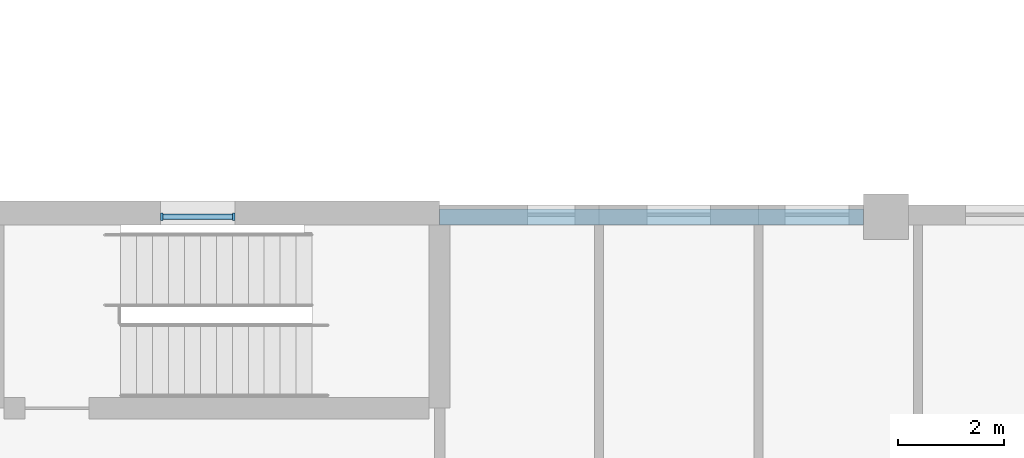
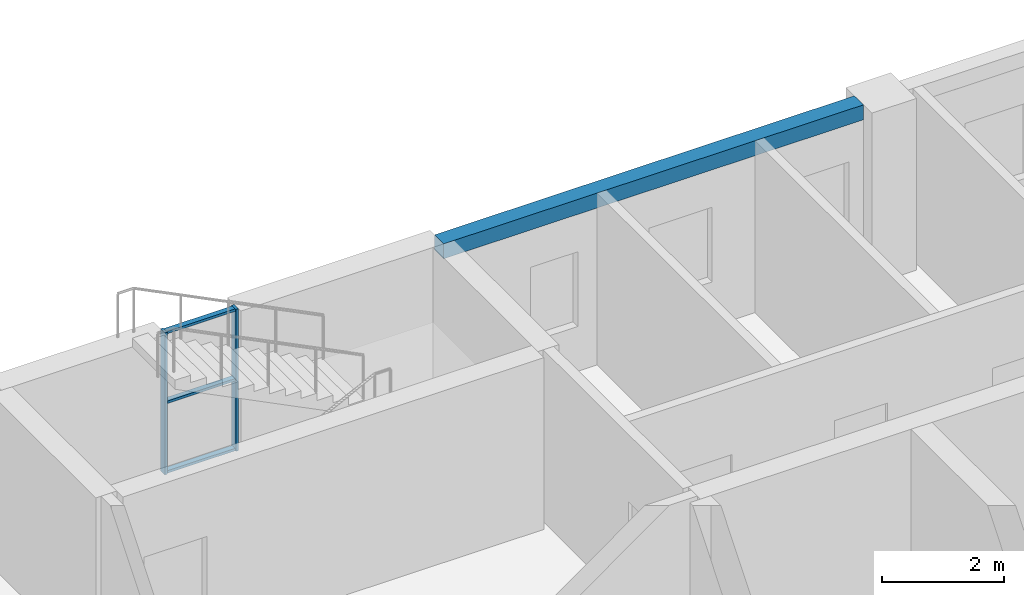
# One storey, part 26 of 94: 5 members, 1 beam, 1 element without a shape of its own.
"""IFC4 building model written with IfcOpenShell, lengths in metres."""

from ifc_helpers import new_model, si_unit, direction, frame, origin, origin_2d, place, context, subcontext, project, spatial, rectangle, extrude, material, material_profile, profile_set, type_object, element, aggregate, save


model = new_model("IFC4")

# Units and contexts
model_context = context("Model", 3, precision=1e-05, world=origin(), true_north=direction((0.0, 1.0)))
body_context = subcontext(model_context, "Body", "Model", "MODEL_VIEW")
ifc_project = project(units=[si_unit("LENGTHUNIT", "METRE"), si_unit("AREAUNIT", "SQUARE_METRE"), si_unit("VOLUMEUNIT", "CUBIC_METRE"), si_unit("PLANEANGLEUNIT", "RADIAN"), si_unit("MASSUNIT", "GRAM", prefix="KILO")], contexts=[model_context])

# Site, building, storey
site_placement = place(None, origin())
site = spatial("IfcSite", under=ifc_project, at=site_placement, CompositionType="ELEMENT")
building_placement = place(site_placement, origin())
building = spatial("IfcBuilding", under=site, at=building_placement, Name="Yavir Park General Hospital", CompositionType="ELEMENT")
storey_placement = place(building_placement, frame((0.0, 0.0, 4.5)))
storey = spatial("IfcBuildingStorey", under=building, at=storey_placement, Name="L01", CompositionType="ELEMENT", Elevation=4.5)

# Beam
ifc_material_1 = material(Name="Concrete C35/45", Category="concrete")
ifc_material_profile_1 = material_profile(ifc_material_1, rectangle(XDim=0.300048828125, YDim=0.300048828125, at=origin_2d()), Name="RC300x300")
ifc_profile_set_1 = profile_set([ifc_material_profile_1], Name="Concrete C35/45")
beam_type = type_object("IfcBeamType", Name="RC BEAM 300x300 edge beam", PredefinedType="BEAM", material=ifc_profile_set_1)
beam_placement = place(storey_placement, frame((117.60009765625, 33.60009765625, 3.300048828125), z_axis=(1.0, 0.0, 0.0), x_axis=(0.0, 1.0, 0.0)))
element("IfcBeam", 1, at=beam_placement, inside=storey, type_object=beam_type, Name="B:EDGE:L01:025", PredefinedType="BEAM", context=body_context, shape_type="SweptSolid", body=[
    extrude(rectangle(XDim=0.300048828125, YDim=0.300048828125, at=origin_2d()), origin(), (0.0, 0.0, 1.0), 7.974853515625),
])

# Curtain wall, members
ifc_material_2 = material(Name="Aluminium curtain wall frame with insulated glazing", Category="aluminium")
curtain_wall_type = type_object("IfcCurtainWallType", Name="Stair light slot, podium, 2850 high, 1400 module", PredefinedType="NOTDEFINED", material=ifc_material_2)
curtain_wall_placement = place(storey_placement, origin())
curtain_wall = element("IfcCurtainWall", 2, at=curtain_wall_placement, inside=storey, type_object=curtain_wall_type, Name="CW9 L01-006", PredefinedType="NOTDEFINED")
ifc_material_3 = material(Name="Aluminium", Category="aluminium")
ifc_material_profile_2 = material_profile(ifc_material_3, rectangle(XDim=0.139892578125, YDim=0.050048828125, at=origin_2d()), Name="AL 50x140")
ifc_profile_set_2 = profile_set([ifc_material_profile_2], Name="Aluminium")
member_type_1 = type_object("IfcMemberType", Name="Stair light slot, podium, 2850 high mullion 50 x 140", PredefinedType="MULLION", material=ifc_profile_set_2)
member_1_placement = place(storey_placement, frame((112.375, 33.60009765625, 0.60009765625), z_axis=(0.0, 0.0, 1.0), x_axis=(0.0, 1.0, 0.0)))
member_1 = element("IfcMember", 3, at=member_1_placement, type_object=member_type_1, Name="CW9 mullion 1", PredefinedType="MULLION", context=body_context, shape_type="SweptSolid", body=[
    extrude(rectangle(XDim=0.139892578125, YDim=0.050048828125, at=origin_2d()), origin(), (0.0, 0.0, 1.0), 2.849853515625),
])
member_2_placement = place(storey_placement, frame((113.72509765625, 33.60009765625, 0.60009765625), z_axis=(0.0, 0.0, 1.0), x_axis=(0.0, 1.0, 0.0)))
member_2 = element("IfcMember", 4, at=member_2_placement, type_object=member_type_1, Name="CW9 mullion 2", PredefinedType="MULLION", context=body_context, shape_type="SweptSolid", body=[
    extrude(rectangle(XDim=0.139892578125, YDim=0.050048828125, at=origin_2d()), origin(), (0.0, 0.0, 1.0), 2.849853515625),
])
ifc_material_4 = material(Name="Aluminium", Category="aluminium")
ifc_material_profile_3 = material_profile(ifc_material_4, rectangle(XDim=0.10009765625, YDim=0.050048828125, at=origin_2d()), Name="AL 100x50")
ifc_profile_set_3 = profile_set([ifc_material_profile_3], Name="Aluminium")
member_type_2 = type_object("IfcMemberType", Name="Stair light slot, podium, 2850 high transom 50 x 100", PredefinedType="MULLION", material=ifc_profile_set_3)
member_3_placement = place(storey_placement, frame((112.39990234375, 33.60009765625, 0.625), z_axis=(1.0, 0.0, 0.0), x_axis=(0.0, 1.0, 0.0)))
member_3 = element("IfcMember", 5, at=member_3_placement, type_object=member_type_2, Name="CW9 transom 1.1", PredefinedType="MULLION", context=body_context, shape_type="SweptSolid", body=[
    extrude(rectangle(XDim=0.10009765625, YDim=0.050048828125, at=origin_2d()), origin(), (0.0, 0.0, 1.0), 1.300048828125),
])
member_4_placement = place(storey_placement, frame((112.39990234375, 33.60009765625, 2.02490234375), z_axis=(1.0, 0.0, 0.0), x_axis=(0.0, 1.0, 0.0)))
member_4 = element("IfcMember", 6, at=member_4_placement, type_object=member_type_2, Name="CW9 transom 1.2", PredefinedType="MULLION", context=body_context, shape_type="SweptSolid", body=[
    extrude(rectangle(XDim=0.10009765625, YDim=0.050048828125, at=origin_2d()), origin(), (0.0, 0.0, 1.0), 1.300048828125),
])
member_5_placement = place(storey_placement, frame((112.39990234375, 33.60009765625, 3.425048828125), z_axis=(1.0, 0.0, 0.0), x_axis=(0.0, 1.0, 0.0)))
member_5 = element("IfcMember", 7, at=member_5_placement, type_object=member_type_2, Name="CW9 transom 1.3", PredefinedType="MULLION", context=body_context, shape_type="SweptSolid", body=[
    extrude(rectangle(XDim=0.10009765625, YDim=0.050048828125, at=origin_2d()), origin(), (0.0, 0.0, 1.0), 1.300048828125),
])
aggregate(curtain_wall, [member_1, member_2, member_3, member_4, member_5])

save(model, "model.ifc")
